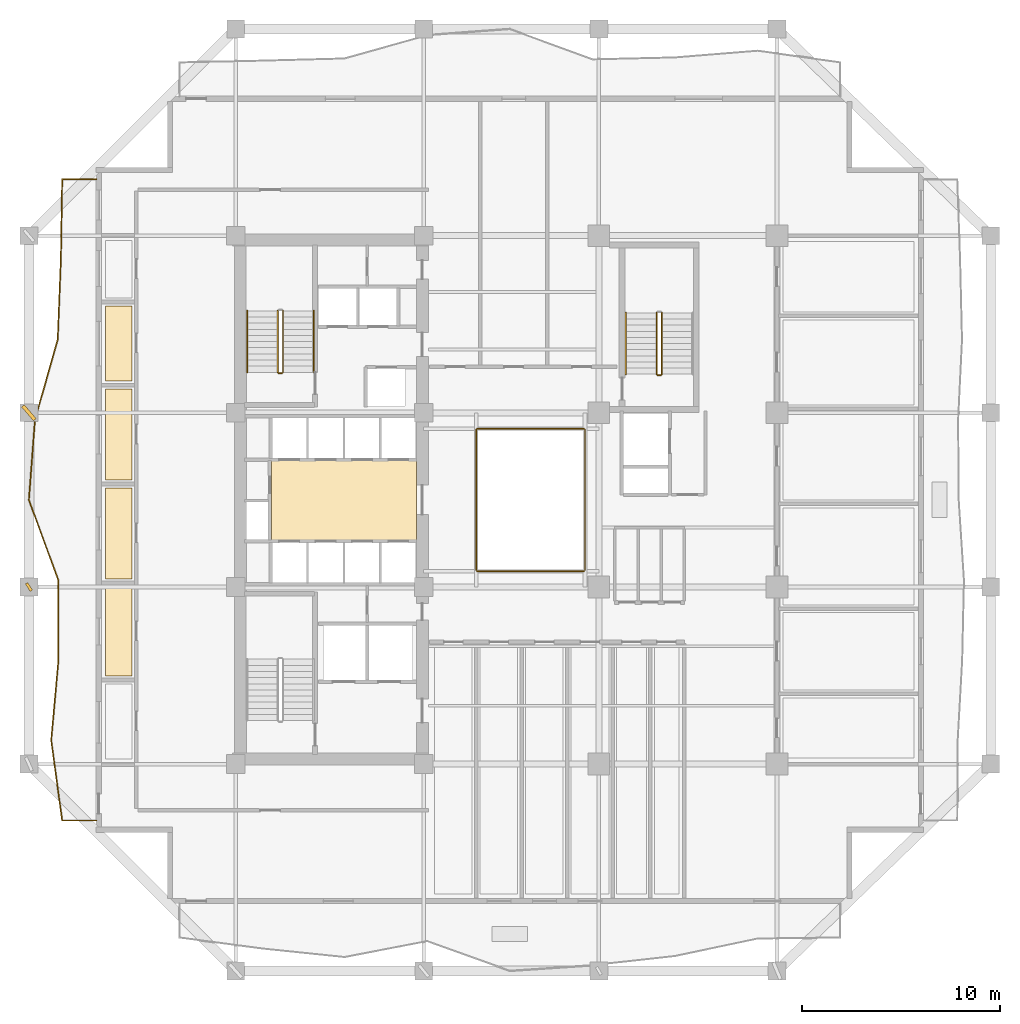
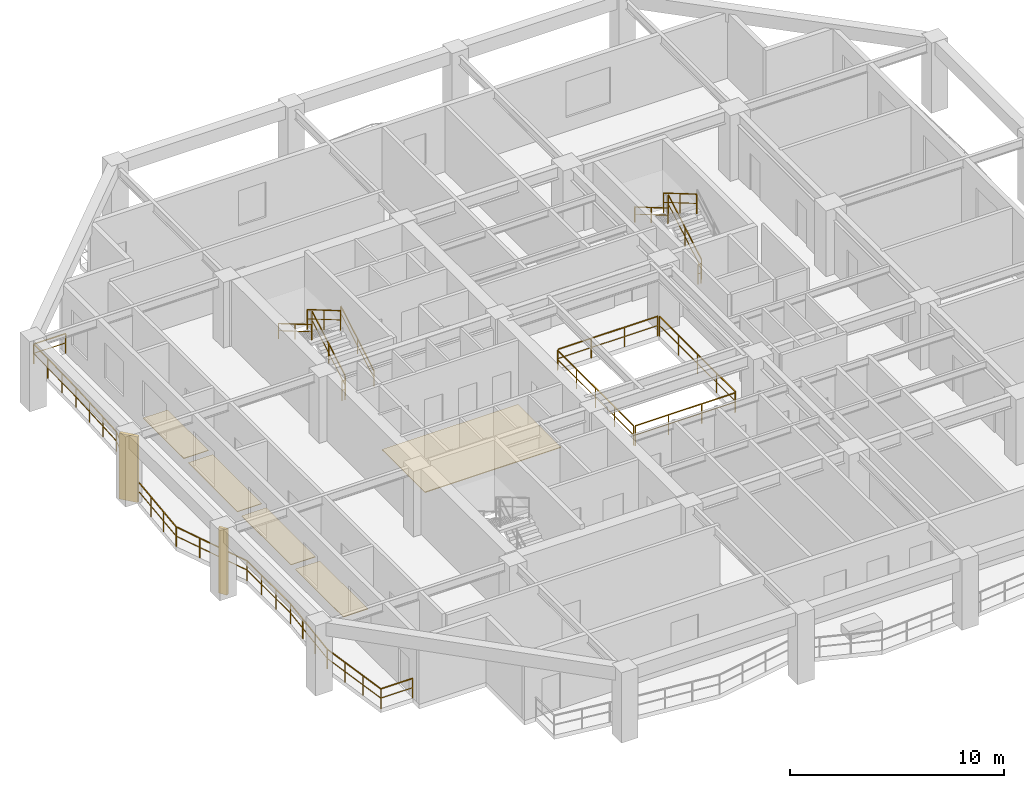
# One storey, part 8 of 11: 14 railings, 5 coverings, 2 shading devices.
"""IFC4 building model written with IfcOpenShell, lengths in metres."""

from ifc_helpers import new_model, si_unit, direction, frame, origin, origin_2d, place, context, subcontext, project, spatial, polyline, rectangle, outline, extrude, material, layer, layer_set, type_object, element, save


model = new_model("IFC4")

# Units and contexts
model_context = context("Model", 3, precision=1e-05, world=origin(), true_north=direction((0.0, 1.0)))
body_context = subcontext(model_context, "Body", "Model", "MODEL_VIEW")
ifc_project = project(units=[si_unit("LENGTHUNIT", "METRE"), si_unit("AREAUNIT", "SQUARE_METRE"), si_unit("VOLUMEUNIT", "CUBIC_METRE"), si_unit("PLANEANGLEUNIT", "RADIAN"), si_unit("MASSUNIT", "GRAM", prefix="KILO")], contexts=[model_context])

# Site, building, storey
site_placement = place(None, origin())
site = spatial("IfcSite", under=ifc_project, at=site_placement, CompositionType="ELEMENT")
building_placement = place(site_placement, origin())
building = spatial("IfcBuilding", under=site, at=building_placement, Name="Kundavana Baori Tower", CompositionType="ELEMENT")
storey_placement = place(building_placement, frame((0.0, 0.0, 82.0)))
storey = spatial("IfcBuildingStorey", under=building, at=storey_placement, Name="L19", CompositionType="ELEMENT", Elevation=82.0)

# Coverings
ifc_material_1 = material(Name="Honed Kota Stone and Terrazzo Flooring", Category="masonry")
ifc_layer_1 = layer(ifc_material_1, 0.0400390625, Name="COV-FLR-TERR-40")
ifc_layer_set_1 = layer_set([ifc_layer_1], Name="Honed Kota Stone and Terrazzo Flooring")
covering_type_1 = type_object("IfcCoveringType", Name="COV-FLR-TERR-40", PredefinedType="FLOORING", material=ifc_layer_set_1)
covering_1_placement = place(storey_placement, origin())
element("IfcCovering", 1, at=covering_1_placement, inside=storey, type_object=covering_type_1, Name="L19 Core Lift Lobby Kota Stone Flooring", PredefinedType="FLOORING", context=body_context, shape_type="SweptSolid", body=[
    extrude(outline(polyline([(17.25, 26.580078125), (24.580078125, 26.580078125), (24.580078125, 30.60009765625), (17.25, 30.60009765625), (17.25, 26.580078125)])), origin(), (0.0, 0.0, 1.0), 0.0400390625),
])
ifc_material_2 = material(Name="Honed Kota Stone and Terrazzo Flooring", Category="masonry")
ifc_layer_2 = layer(ifc_material_2, 0.030029296875, Name="COV-INT-FLR")
ifc_layer_set_2 = layer_set([ifc_layer_2], Name="Honed Kota Stone and Terrazzo Flooring")
covering_type_2 = type_object("IfcCoveringType", Name="COV-INT-FLR", PredefinedType="FLOORING", material=ifc_layer_set_2)
covering_2_placement = place(storey_placement, origin())
element("IfcCovering", 2, at=covering_2_placement, inside=storey, type_object=covering_type_2, Name="L19 Room Finished Stone Flooring 2", PredefinedType="FLOORING", context=body_context, shape_type="SweptSolid", body=[
    extrude(outline(polyline([(8.8798828125, 19.699951171875), (10.199951171875, 19.699951171875), (10.199951171875, 24.199951171875), (8.8798828125, 24.199951171875), (8.8798828125, 19.699951171875)])), origin(), (0.0, 0.0, 1.0), 0.030029296875),
])
covering_3_placement = place(storey_placement, origin())
element("IfcCovering", 3, at=covering_3_placement, inside=storey, type_object=covering_type_2, Name="L19 Room Finished Stone Flooring 3", PredefinedType="FLOORING", context=body_context, shape_type="SweptSolid", body=[
    extrude(outline(polyline([(8.8798828125, 24.60009765625), (10.199951171875, 24.60009765625), (10.199951171875, 29.199951171875), (8.8798828125, 29.199951171875), (8.8798828125, 24.60009765625)])), origin(), (0.0, 0.0, 1.0), 0.030029296875),
])
covering_4_placement = place(storey_placement, origin())
element("IfcCovering", 4, at=covering_4_placement, inside=storey, type_object=covering_type_2, Name="L19 Room Finished Stone Flooring 4", PredefinedType="FLOORING", context=body_context, shape_type="SweptSolid", body=[
    extrude(outline(polyline([(8.8798828125, 29.60009765625), (10.199951171875, 29.60009765625), (10.199951171875, 34.199951171875), (8.8798828125, 34.199951171875), (8.8798828125, 29.60009765625)])), origin(), (0.0, 0.0, 1.0), 0.030029296875),
])
covering_5_placement = place(storey_placement, origin())
element("IfcCovering", 5, at=covering_5_placement, inside=storey, type_object=covering_type_2, Name="L19 Room Finished Stone Flooring 5", PredefinedType="FLOORING", context=body_context, shape_type="SweptSolid", body=[
    extrude(outline(polyline([(8.8798828125, 34.60009765625), (10.199951171875, 34.60009765625), (10.199951171875, 38.39990234375), (8.8798828125, 38.39990234375), (8.8798828125, 34.60009765625)])), origin(), (0.0, 0.0, 1.0), 0.030029296875),
])

# Railings
ifc_material_3 = material(Name="Architectural Patinated Bronze Metalwork")
railing_type_1 = type_object("IfcRailingType", Name="RL-BAL-1150", PredefinedType="BALUSTRADE", material=ifc_material_3)
railing_1_placement = place(storey_placement, frame((8.39990234375, 12.39990234375, 0.0)))
element("IfcRailing", 6, at=railing_1_placement, inside=storey, type_object=railing_type_1, Name="L19 Loggia Balcony Balustrade W", PredefinedType="BALUSTRADE", context=body_context, shape_type="SweptSolid", body=[
    extrude(rectangle(XDim=0.048095703125, YDim=0.048095703125, at=origin_2d()), frame((0.0, 0.0, 1.1259765625), z_axis=(-1.0, 0.0, 0.0), x_axis=(0.0, -1.0, 0.0)), (0.0, 0.0, 1.0), 1.719970703125),
    extrude(rectangle(XDim=0.03125, YDim=0.03125, at=origin_2d()), frame((0.0, 0.0, 0.597900390625), z_axis=(-1.0, 0.0, 0.0), x_axis=(0.0, -1.0, 0.0)), (0.0, 0.0, 1.0), 1.719970703125),
    extrude(rectangle(XDim=0.048095703125, YDim=0.048095703125, at=origin_2d()), frame((-1.719970703125, 0.0, 1.1259765625), z_axis=(-0.135281116165, 0.990807256538, 0.0), x_axis=(-0.990807256538, -0.135281116165, 0.0)), (0.0, 0.0, 1.0), 4.087646484375),
    extrude(rectangle(XDim=0.03125, YDim=0.03125, at=origin_2d()), frame((-1.719970703125, 0.0, 0.597900390625), z_axis=(-0.135281116165, 0.990807256538, 0.0), x_axis=(-0.990807256538, -0.135281116165, 0.0)), (0.0, 0.0, 1.0), 4.087646484375),
    extrude(rectangle(XDim=0.048095703125, YDim=0.048095703125, at=origin_2d()), frame((-2.27294921875, 4.050048828125, 1.1259765625), z_axis=(0.089279751541, 0.996006589318, 0.0), x_axis=(-0.996006589318, 0.089279751541, 0.0)), (0.0, 0.0, 1.0), 4.06640625),
    extrude(rectangle(XDim=0.03125, YDim=0.03125, at=origin_2d()), frame((-2.27294921875, 4.050048828125, 0.597900390625), z_axis=(0.089279751541, 0.996006589318, 0.0), x_axis=(-0.996006589318, 0.089279751541, 0.0)), (0.0, 0.0, 1.0), 4.06640625),
    extrude(rectangle(XDim=0.048095703125, YDim=0.048095703125, at=origin_2d()), frame((-1.909912109375, 8.10009765625, 1.1259765625), z_axis=(-0.001748143691, 0.999998471996, 0.0), x_axis=(-0.999998471996, -0.001748143691, 0.0)), (0.0, 0.0, 1.0), 4.050048828125),
    extrude(rectangle(XDim=0.03125, YDim=0.03125, at=origin_2d()), frame((-1.909912109375, 8.10009765625, 0.597900390625), z_axis=(-0.001748143691, 0.999998471996, 0.0), x_axis=(-0.999998471996, -0.001748143691, 0.0)), (0.0, 0.0, 1.0), 4.050048828125),
    extrude(rectangle(XDim=0.048095703125, YDim=0.048095703125, at=origin_2d()), frame((-1.9169921875, 12.150146484375, 1.1259765625), z_axis=(-0.343823831996, 0.939034170066, 0.0), x_axis=(-0.939034170066, -0.343823831996, 0.0)), (0.0, 0.0, 1.0), 4.31298828125),
    extrude(rectangle(XDim=0.03125, YDim=0.03125, at=origin_2d()), frame((-1.9169921875, 12.150146484375, 0.597900390625), z_axis=(-0.343823831996, 0.939034170066, 0.0), x_axis=(-0.939034170066, -0.343823831996, 0.0)), (0.0, 0.0, 1.0), 4.31298828125),
    extrude(rectangle(XDim=0.048095703125, YDim=0.048095703125, at=origin_2d()), frame((-3.39990234375, 16.2001953125, 1.1259765625), z_axis=(0.075082857832, 0.997177298408, 0.0), x_axis=(-0.997177298408, 0.075082857832, 0.0)), (0.0, 0.0, 1.0), 4.061279296875),
    extrude(rectangle(XDim=0.03125, YDim=0.03125, at=origin_2d()), frame((-3.39990234375, 16.2001953125, 0.597900390625), z_axis=(0.075082857832, 0.997177298408, 0.0), x_axis=(-0.997177298408, 0.075082857832, 0.0)), (0.0, 0.0, 1.0), 4.061279296875),
    extrude(rectangle(XDim=0.048095703125, YDim=0.048095703125, at=origin_2d()), frame((-3.094970703125, 20.25, 1.1259765625), z_axis=(0.273181359137, 0.961962548658, 0.0), x_axis=(-0.961962548658, 0.273181359137, 0.0)), (0.0, 0.0, 1.0), 4.210205078125),
    extrude(rectangle(XDim=0.03125, YDim=0.03125, at=origin_2d()), frame((-3.094970703125, 20.25, 0.597900390625), z_axis=(0.273181359137, 0.961962548658, 0.0), x_axis=(-0.961962548658, 0.273181359137, 0.0)), (0.0, 0.0, 1.0), 4.210205078125),
    extrude(rectangle(XDim=0.048095703125, YDim=0.048095703125, at=origin_2d()), frame((-1.94482421875, 24.300048828125, 1.1259765625), z_axis=(0.039212689569, 0.999230886721, 0.0), x_axis=(-0.999230886721, 0.039212689569, 0.0)), (0.0, 0.0, 1.0), 4.05322265625),
    extrude(rectangle(XDim=0.03125, YDim=0.03125, at=origin_2d()), frame((-1.94482421875, 24.300048828125, 0.597900390625), z_axis=(0.039212689569, 0.999230886721, 0.0), x_axis=(-0.999230886721, 0.039212689569, 0.0)), (0.0, 0.0, 1.0), 4.05322265625),
    extrude(rectangle(XDim=0.048095703125, YDim=0.048095703125, at=origin_2d()), frame((-1.785888671875, 28.35009765625, 1.1259765625), z_axis=(0.016273690107, 0.999867574737, 0.0), x_axis=(-0.999867574737, 0.016273690107, 0.0)), (0.0, 0.0, 1.0), 4.050537109375),
    extrude(rectangle(XDim=0.03125, YDim=0.03125, at=origin_2d()), frame((-1.785888671875, 28.35009765625, 0.597900390625), z_axis=(0.016273690107, 0.999867574737, 0.0), x_axis=(-0.999867574737, 0.016273690107, 0.0)), (0.0, 0.0, 1.0), 4.050537109375),
    extrude(rectangle(XDim=0.048095703125, YDim=0.048095703125, at=origin_2d()), frame((-1.719970703125, 32.400146484375, 1.1259765625), z_axis=(1.0, 0.0, 0.0), x_axis=(0.0, 1.0, 0.0)), (0.0, 0.0, 1.0), 1.719970703125),
    extrude(rectangle(XDim=0.03125, YDim=0.03125, at=origin_2d()), frame((-1.719970703125, 32.400146484375, 0.597900390625), z_axis=(1.0, 0.0, 0.0), x_axis=(0.0, 1.0, 0.0)), (0.0, 0.0, 1.0), 1.719970703125),
    extrude(rectangle(XDim=0.0419921875, YDim=0.0419921875, at=origin_2d()), origin(), (0.0, 0.0, 1.0), 1.101806640625),
    extrude(rectangle(XDim=0.0419921875, YDim=0.0419921875, at=origin_2d()), frame((-1.719970703125, 0.0, 0.0)), (0.0, 0.0, 1.0), 1.101806640625),
    extrude(rectangle(XDim=0.0419921875, YDim=0.0419921875, at=origin_2d()), frame((-1.904296875, 1.35009765625, 0.0)), (0.0, 0.0, 1.0), 1.101806640625),
    extrude(rectangle(XDim=0.0419921875, YDim=0.0419921875, at=origin_2d()), frame((-2.088623046875, 2.699951171875, 0.0)), (0.0, 0.0, 1.0), 1.101806640625),
    extrude(rectangle(XDim=0.0419921875, YDim=0.0419921875, at=origin_2d()), frame((-2.27294921875, 4.050048828125, 0.0)), (0.0, 0.0, 1.0), 1.101806640625),
    extrude(rectangle(XDim=0.0419921875, YDim=0.0419921875, at=origin_2d()), frame((-2.15185546875, 5.400146484375, 0.0)), (0.0, 0.0, 1.0), 1.101806640625),
    extrude(rectangle(XDim=0.0419921875, YDim=0.0419921875, at=origin_2d()), frame((-2.031005859375, 6.75, 0.0)), (0.0, 0.0, 1.0), 1.101806640625),
    extrude(rectangle(XDim=0.0419921875, YDim=0.0419921875, at=origin_2d()), frame((-1.909912109375, 8.10009765625, 0.0)), (0.0, 0.0, 1.0), 1.101806640625),
    extrude(rectangle(XDim=0.0419921875, YDim=0.0419921875, at=origin_2d()), frame((-1.912353515625, 9.4501953125, 0.0)), (0.0, 0.0, 1.0), 1.101806640625),
    extrude(rectangle(XDim=0.0419921875, YDim=0.0419921875, at=origin_2d()), frame((-1.91455078125, 10.800048828125, 0.0)), (0.0, 0.0, 1.0), 1.101806640625),
    extrude(rectangle(XDim=0.0419921875, YDim=0.0419921875, at=origin_2d()), frame((-1.9169921875, 12.150146484375, 0.0)), (0.0, 0.0, 1.0), 1.101806640625),
    extrude(rectangle(XDim=0.0419921875, YDim=0.0419921875, at=origin_2d()), frame((-2.411376953125, 13.500244140625, 0.0)), (0.0, 0.0, 1.0), 1.101806640625),
    extrude(rectangle(XDim=0.0419921875, YDim=0.0419921875, at=origin_2d()), frame((-2.905517578125, 14.85009765625, 0.0)), (0.0, 0.0, 1.0), 1.101806640625),
    extrude(rectangle(XDim=0.0419921875, YDim=0.0419921875, at=origin_2d()), frame((-3.39990234375, 16.2001953125, 0.0)), (0.0, 0.0, 1.0), 1.101806640625),
    extrude(rectangle(XDim=0.0419921875, YDim=0.0419921875, at=origin_2d()), frame((-3.29833984375, 17.550048828125, 0.0)), (0.0, 0.0, 1.0), 1.101806640625),
    extrude(rectangle(XDim=0.0419921875, YDim=0.0419921875, at=origin_2d()), frame((-3.196533203125, 18.900146484375, 0.0)), (0.0, 0.0, 1.0), 1.101806640625),
    extrude(rectangle(XDim=0.0419921875, YDim=0.0419921875, at=origin_2d()), frame((-3.094970703125, 20.25, 0.0)), (0.0, 0.0, 1.0), 1.101806640625),
    extrude(rectangle(XDim=0.0419921875, YDim=0.0419921875, at=origin_2d()), frame((-2.711669921875, 21.60009765625, 0.0)), (0.0, 0.0, 1.0), 1.101806640625),
    extrude(rectangle(XDim=0.0419921875, YDim=0.0419921875, at=origin_2d()), frame((-2.328125, 22.949951171875, 0.0)), (0.0, 0.0, 1.0), 1.101806640625),
    extrude(rectangle(XDim=0.0419921875, YDim=0.0419921875, at=origin_2d()), frame((-1.94482421875, 24.300048828125, 0.0)), (0.0, 0.0, 1.0), 1.101806640625),
    extrude(rectangle(XDim=0.0419921875, YDim=0.0419921875, at=origin_2d()), frame((-1.891845703125, 25.650146484375, 0.0)), (0.0, 0.0, 1.0), 1.101806640625),
    extrude(rectangle(XDim=0.0419921875, YDim=0.0419921875, at=origin_2d()), frame((-1.8388671875, 27.0, 0.0)), (0.0, 0.0, 1.0), 1.101806640625),
    extrude(rectangle(XDim=0.0419921875, YDim=0.0419921875, at=origin_2d()), frame((-1.785888671875, 28.35009765625, 0.0)), (0.0, 0.0, 1.0), 1.101806640625),
    extrude(rectangle(XDim=0.0419921875, YDim=0.0419921875, at=origin_2d()), frame((-1.763916015625, 29.7001953125, 0.0)), (0.0, 0.0, 1.0), 1.101806640625),
    extrude(rectangle(XDim=0.0419921875, YDim=0.0419921875, at=origin_2d()), frame((-1.741943359375, 31.050048828125, 0.0)), (0.0, 0.0, 1.0), 1.101806640625),
    extrude(rectangle(XDim=0.0419921875, YDim=0.0419921875, at=origin_2d()), frame((-1.719970703125, 32.400146484375, 0.0)), (0.0, 0.0, 1.0), 1.101806640625),
    extrude(rectangle(XDim=0.0419921875, YDim=0.0419921875, at=origin_2d()), frame((0.0, 32.400146484375, 0.0)), (0.0, 0.0, 1.0), 1.101806640625),
])
ifc_material_4 = material(Name="Architectural Patinated Bronze Metalwork")
railing_type_2 = type_object("IfcRailingType", Name="RL-GRD-1150", PredefinedType="GUARDRAIL", material=ifc_material_4)
railing_2_placement = place(storey_placement, frame((17.840087890625, 35.050048828125, 0.181884765625)))
element("IfcRailing", 7, at=railing_2_placement, inside=storey, type_object=railing_type_2, Name="L19 ST2 stair guard 1", PredefinedType="GUARDRAIL", context=body_context, shape_type="SweptSolid", body=[
    extrude(rectangle(XDim=0.048095703125, YDim=0.048095703125, at=origin_2d()), frame((0.0, 0.0, 1.1259765625), z_axis=(0.0, 0.86258143422, 0.50591824373), x_axis=(-1.0, 0.0, 0.0)), (0.0, 0.0, 1.0), 3.59375),
    extrude(rectangle(XDim=0.03125, YDim=0.03125, at=origin_2d()), frame((0.0, 0.0, 0.597900390625), z_axis=(0.0, 0.86258143422, 0.50591824373), x_axis=(-1.0, 0.0, 0.0)), (0.0, 0.0, 1.0), 3.59375),
    extrude(rectangle(XDim=0.0419921875, YDim=0.0419921875, at=origin_2d()), origin(), (0.0, 0.0, 1.0), 1.101806640625),
    extrude(rectangle(XDim=0.0419921875, YDim=0.0419921875, at=origin_2d()), frame((0.0, 1.5498046875, 0.9091796875)), (0.0, 0.0, 1.0), 1.101806640625),
    extrude(rectangle(XDim=0.0419921875, YDim=0.0419921875, at=origin_2d()), frame((0.0, 3.099853515625, 1.818115234375)), (0.0, 0.0, 1.0), 1.101806640625),
])
railing_3_placement = place(storey_placement, frame((17.580078125, 38.14990234375, 2.181884765625)))
element("IfcRailing", 8, at=railing_3_placement, inside=storey, type_object=railing_type_2, Name="L19 ST2 stair guard 3", PredefinedType="GUARDRAIL", context=body_context, shape_type="SweptSolid", body=[
    extrude(rectangle(XDim=0.048095703125, YDim=0.048095703125, at=origin_2d()), frame((0.0, 0.0, 1.1259765625), z_axis=(0.0, -0.86258143422, 0.50591824373), x_axis=(1.0, 0.0, 0.0)), (0.0, 0.0, 1.0), 3.59375),
    extrude(rectangle(XDim=0.03125, YDim=0.03125, at=origin_2d()), frame((0.0, 0.0, 0.597900390625), z_axis=(0.0, -0.86258143422, 0.50591824373), x_axis=(1.0, 0.0, 0.0)), (0.0, 0.0, 1.0), 3.59375),
    extrude(rectangle(XDim=0.0419921875, YDim=0.0419921875, at=origin_2d()), origin(), (0.0, 0.0, 1.0), 1.101806640625),
    extrude(rectangle(XDim=0.0419921875, YDim=0.0419921875, at=origin_2d()), frame((0.0, -1.5498046875, 0.9091796875)), (0.0, 0.0, 1.0), 1.101806640625),
    extrude(rectangle(XDim=0.0419921875, YDim=0.0419921875, at=origin_2d()), frame((0.0, -3.099853515625, 1.818115234375)), (0.0, 0.0, 1.0), 1.101806640625),
])
railing_4_placement = place(storey_placement, frame((17.7900390625, 35.0, 0.0)))
element("IfcRailing", 9, at=railing_4_placement, inside=storey, type_object=railing_type_2, Name="L19 ST2 stair guard 4", PredefinedType="GUARDRAIL", context=body_context, shape_type="SweptSolid", body=[
    extrude(rectangle(XDim=0.048095703125, YDim=0.048095703125, at=origin_2d()), frame((0.0, 0.0, 1.1259765625), z_axis=(-1.0, 0.0, 0.0), x_axis=(0.0, -1.0, 0.0)), (0.0, 0.0, 1.0), 0.16015625),
    extrude(rectangle(XDim=0.03125, YDim=0.03125, at=origin_2d()), frame((0.0, 0.0, 0.597900390625), z_axis=(-1.0, 0.0, 0.0), x_axis=(0.0, -1.0, 0.0)), (0.0, 0.0, 1.0), 0.16015625),
    extrude(rectangle(XDim=0.0419921875, YDim=0.0419921875, at=origin_2d()), origin(), (0.0, 0.0, 1.0), 1.101806640625),
    extrude(rectangle(XDim=0.0419921875, YDim=0.0419921875, at=origin_2d()), frame((-0.16015625, 0.0, 0.0)), (0.0, 0.0, 1.0), 1.101806640625),
])
railing_5_placement = place(storey_placement, frame((36.97998046875, 34.949951171875, 0.181884765625)))
element("IfcRailing", 10, at=railing_5_placement, inside=storey, type_object=railing_type_2, Name="L19 ST3 stair guard 1", PredefinedType="GUARDRAIL", context=body_context, shape_type="SweptSolid", body=[
    extrude(rectangle(XDim=0.048095703125, YDim=0.048095703125, at=origin_2d()), frame((0.0, 0.0, 1.1259765625), z_axis=(0.0, 0.862598821094, 0.505888598258), x_axis=(-1.0, 0.0, 0.0)), (0.0, 0.0, 1.0), 3.593994140625),
    extrude(rectangle(XDim=0.03125, YDim=0.03125, at=origin_2d()), frame((0.0, 0.0, 0.597900390625), z_axis=(0.0, 0.862598821094, 0.505888598258), x_axis=(-1.0, 0.0, 0.0)), (0.0, 0.0, 1.0), 3.593994140625),
    extrude(rectangle(XDim=0.0419921875, YDim=0.0419921875, at=origin_2d()), origin(), (0.0, 0.0, 1.0), 1.101806640625),
    extrude(rectangle(XDim=0.0419921875, YDim=0.0419921875, at=origin_2d()), frame((0.0, 1.550048828125, 0.9091796875)), (0.0, 0.0, 1.0), 1.101806640625),
    extrude(rectangle(XDim=0.0419921875, YDim=0.0419921875, at=origin_2d()), frame((0.0, 3.10009765625, 1.818115234375)), (0.0, 0.0, 1.0), 1.101806640625),
])
railing_6_placement = place(storey_placement, frame((36.719970703125, 38.050048828125, 2.181884765625)))
element("IfcRailing", 11, at=railing_6_placement, inside=storey, type_object=railing_type_2, Name="L19 ST3 stair guard 3", PredefinedType="GUARDRAIL", context=body_context, shape_type="SweptSolid", body=[
    extrude(rectangle(XDim=0.048095703125, YDim=0.048095703125, at=origin_2d()), frame((0.0, 0.0, 1.1259765625), z_axis=(0.0, -0.862598821094, 0.505888598258), x_axis=(1.0, 0.0, 0.0)), (0.0, 0.0, 1.0), 3.593994140625),
    extrude(rectangle(XDim=0.03125, YDim=0.03125, at=origin_2d()), frame((0.0, 0.0, 0.597900390625), z_axis=(0.0, -0.862598821094, 0.505888598258), x_axis=(1.0, 0.0, 0.0)), (0.0, 0.0, 1.0), 3.593994140625),
    extrude(rectangle(XDim=0.0419921875, YDim=0.0419921875, at=origin_2d()), origin(), (0.0, 0.0, 1.0), 1.101806640625),
    extrude(rectangle(XDim=0.0419921875, YDim=0.0419921875, at=origin_2d()), frame((0.0, -1.550048828125, 0.9091796875)), (0.0, 0.0, 1.0), 1.101806640625),
    extrude(rectangle(XDim=0.0419921875, YDim=0.0419921875, at=origin_2d()), frame((0.0, -3.10009765625, 1.818115234375)), (0.0, 0.0, 1.0), 1.101806640625),
])
railing_7_placement = place(storey_placement, frame((36.929931640625, 34.89990234375, 0.0)))
element("IfcRailing", 12, at=railing_7_placement, inside=storey, type_object=railing_type_2, Name="L19 ST3 stair guard 4", PredefinedType="GUARDRAIL", context=body_context, shape_type="SweptSolid", body=[
    extrude(rectangle(XDim=0.048095703125, YDim=0.048095703125, at=origin_2d()), frame((0.0, 0.0, 1.1259765625), z_axis=(-1.0, 0.0, 0.0), x_axis=(0.0, -1.0, 0.0)), (0.0, 0.0, 1.0), 0.159912109375),
    extrude(rectangle(XDim=0.03125, YDim=0.03125, at=origin_2d()), frame((0.0, 0.0, 0.597900390625), z_axis=(-1.0, 0.0, 0.0), x_axis=(0.0, -1.0, 0.0)), (0.0, 0.0, 1.0), 0.159912109375),
    extrude(rectangle(XDim=0.0419921875, YDim=0.0419921875, at=origin_2d()), origin(), (0.0, 0.0, 1.0), 1.101806640625),
    extrude(rectangle(XDim=0.0419921875, YDim=0.0419921875, at=origin_2d()), frame((-0.159912109375, 0.0, 0.0)), (0.0, 0.0, 1.0), 1.101806640625),
])
railing_8_placement = place(storey_placement, frame((27.659912109375, 25.0, 0.0)))
element("IfcRailing", 13, at=railing_8_placement, inside=storey, type_object=railing_type_2, Name="L19 Atrium Void Perimeter Guardrail S", PredefinedType="GUARDRAIL", context=body_context, shape_type="SweptSolid", body=[
    extrude(rectangle(XDim=0.048095703125, YDim=0.048095703125, at=origin_2d()), frame((0.0, 0.0, 1.1259765625), z_axis=(1.0, 0.0, 0.0), x_axis=(0.0, 1.0, 0.0)), (0.0, 0.0, 1.0), 5.380126953125),
    extrude(rectangle(XDim=0.03125, YDim=0.03125, at=origin_2d()), frame((0.0, 0.0, 0.597900390625), z_axis=(1.0, 0.0, 0.0), x_axis=(0.0, 1.0, 0.0)), (0.0, 0.0, 1.0), 5.380126953125),
    extrude(rectangle(XDim=0.0419921875, YDim=0.0419921875, at=origin_2d()), origin(), (0.0, 0.0, 1.0), 1.101806640625),
    extrude(rectangle(XDim=0.0419921875, YDim=0.0419921875, at=origin_2d()), frame((1.79345703125, 0.0, 0.0)), (0.0, 0.0, 1.0), 1.101806640625),
    extrude(rectangle(XDim=0.0419921875, YDim=0.0419921875, at=origin_2d()), frame((3.586669921875, 0.0, 0.0)), (0.0, 0.0, 1.0), 1.101806640625),
    extrude(rectangle(XDim=0.0419921875, YDim=0.0419921875, at=origin_2d()), frame((5.380126953125, 0.0, 0.0)), (0.0, 0.0, 1.0), 1.101806640625),
])
railing_9_placement = place(storey_placement, frame((33.10009765625, 25.06005859375, 0.0)))
element("IfcRailing", 14, at=railing_9_placement, inside=storey, type_object=railing_type_2, Name="L19 Atrium Void Perimeter Guardrail E", PredefinedType="GUARDRAIL", context=body_context, shape_type="SweptSolid", body=[
    extrude(rectangle(XDim=0.048095703125, YDim=0.048095703125, at=origin_2d()), frame((0.0, 0.0, 1.1259765625), z_axis=(0.0, 1.0, 0.0), x_axis=(-1.0, 0.0, 0.0)), (0.0, 0.0, 1.0), 7.079833984375),
    extrude(rectangle(XDim=0.03125, YDim=0.03125, at=origin_2d()), frame((0.0, 0.0, 0.597900390625), z_axis=(0.0, 1.0, 0.0), x_axis=(-1.0, 0.0, 0.0)), (0.0, 0.0, 1.0), 7.079833984375),
    extrude(rectangle(XDim=0.0419921875, YDim=0.0419921875, at=origin_2d()), origin(), (0.0, 0.0, 1.0), 1.101806640625),
    extrude(rectangle(XDim=0.0419921875, YDim=0.0419921875, at=origin_2d()), frame((0.0, 1.77001953125, 0.0)), (0.0, 0.0, 1.0), 1.101806640625),
    extrude(rectangle(XDim=0.0419921875, YDim=0.0419921875, at=origin_2d()), frame((0.0, 3.5400390625, 0.0)), (0.0, 0.0, 1.0), 1.101806640625),
    extrude(rectangle(XDim=0.0419921875, YDim=0.0419921875, at=origin_2d()), frame((0.0, 5.309814453125, 0.0)), (0.0, 0.0, 1.0), 1.101806640625),
    extrude(rectangle(XDim=0.0419921875, YDim=0.0419921875, at=origin_2d()), frame((0.0, 7.079833984375, 0.0)), (0.0, 0.0, 1.0), 1.101806640625),
])
railing_10_placement = place(storey_placement, frame((33.0400390625, 32.199951171875, 0.0)))
element("IfcRailing", 15, at=railing_10_placement, inside=storey, type_object=railing_type_2, Name="L19 Atrium Void Perimeter Guardrail N", PredefinedType="GUARDRAIL", context=body_context, shape_type="SweptSolid", body=[
    extrude(rectangle(XDim=0.048095703125, YDim=0.048095703125, at=origin_2d()), frame((0.0, 0.0, 1.1259765625), z_axis=(-1.0, 0.0, 0.0), x_axis=(0.0, -1.0, 0.0)), (0.0, 0.0, 1.0), 5.380126953125),
    extrude(rectangle(XDim=0.03125, YDim=0.03125, at=origin_2d()), frame((0.0, 0.0, 0.597900390625), z_axis=(-1.0, 0.0, 0.0), x_axis=(0.0, -1.0, 0.0)), (0.0, 0.0, 1.0), 5.380126953125),
    extrude(rectangle(XDim=0.0419921875, YDim=0.0419921875, at=origin_2d()), origin(), (0.0, 0.0, 1.0), 1.101806640625),
    extrude(rectangle(XDim=0.0419921875, YDim=0.0419921875, at=origin_2d()), frame((-1.79345703125, 0.0, 0.0)), (0.0, 0.0, 1.0), 1.101806640625),
    extrude(rectangle(XDim=0.0419921875, YDim=0.0419921875, at=origin_2d()), frame((-3.586669921875, 0.0, 0.0)), (0.0, 0.0, 1.0), 1.101806640625),
    extrude(rectangle(XDim=0.0419921875, YDim=0.0419921875, at=origin_2d()), frame((-5.380126953125, 0.0, 0.0)), (0.0, 0.0, 1.0), 1.101806640625),
])
railing_11_placement = place(storey_placement, frame((27.60009765625, 32.139892578125, 0.0)))
element("IfcRailing", 16, at=railing_11_placement, inside=storey, type_object=railing_type_2, Name="L19 Atrium Void Perimeter Guardrail W", PredefinedType="GUARDRAIL", context=body_context, shape_type="SweptSolid", body=[
    extrude(rectangle(XDim=0.048095703125, YDim=0.048095703125, at=origin_2d()), frame((0.0, 0.0, 1.1259765625), z_axis=(0.0, -1.0, 0.0), x_axis=(1.0, 0.0, 0.0)), (0.0, 0.0, 1.0), 7.079833984375),
    extrude(rectangle(XDim=0.03125, YDim=0.03125, at=origin_2d()), frame((0.0, 0.0, 0.597900390625), z_axis=(0.0, -1.0, 0.0), x_axis=(1.0, 0.0, 0.0)), (0.0, 0.0, 1.0), 7.079833984375),
    extrude(rectangle(XDim=0.0419921875, YDim=0.0419921875, at=origin_2d()), origin(), (0.0, 0.0, 1.0), 1.101806640625),
    extrude(rectangle(XDim=0.0419921875, YDim=0.0419921875, at=origin_2d()), frame((0.0, -1.77001953125, 0.0)), (0.0, 0.0, 1.0), 1.101806640625),
    extrude(rectangle(XDim=0.0419921875, YDim=0.0419921875, at=origin_2d()), frame((0.0, -3.5400390625, 0.0)), (0.0, 0.0, 1.0), 1.101806640625),
    extrude(rectangle(XDim=0.0419921875, YDim=0.0419921875, at=origin_2d()), frame((0.0, -5.309814453125, 0.0)), (0.0, 0.0, 1.0), 1.101806640625),
    extrude(rectangle(XDim=0.0419921875, YDim=0.0419921875, at=origin_2d()), frame((0.0, -7.079833984375, 0.0)), (0.0, 0.0, 1.0), 1.101806640625),
])
ifc_material_5 = material(Name="Architectural Patinated Bronze Metalwork")
railing_type_3 = type_object("IfcRailingType", Name="RL-HND-920", PredefinedType="HANDRAIL", material=ifc_material_5)
railing_12_placement = place(storey_placement, frame((19.389892578125, 35.050048828125, 0.181884765625)))
element("IfcRailing", 17, at=railing_12_placement, inside=storey, type_object=railing_type_3, Name="L19 ST2 stair handrail 1", PredefinedType="HANDRAIL", context=body_context, shape_type="SweptSolid", body=[
    extrude(rectangle(XDim=0.048095703125, YDim=0.048095703125, at=origin_2d()), frame((0.0, 0.0, 0.8759765625), z_axis=(0.0, 0.86258143422, 0.50591824373), x_axis=(-1.0, 0.0, 0.0)), (0.0, 0.0, 1.0), 3.59375),
    extrude(rectangle(XDim=0.03125, YDim=0.03125, at=origin_2d()), frame((0.0, 0.0, 0.468017578125), z_axis=(0.0, 0.86258143422, 0.50591824373), x_axis=(-1.0, 0.0, 0.0)), (0.0, 0.0, 1.0), 3.59375),
    extrude(rectangle(XDim=0.0419921875, YDim=0.0419921875, at=origin_2d()), origin(), (0.0, 0.0, 1.0), 0.851806640625),
    extrude(rectangle(XDim=0.0419921875, YDim=0.0419921875, at=origin_2d()), frame((0.0, 1.5498046875, 0.9091796875)), (0.0, 0.0, 1.0), 0.851806640625),
    extrude(rectangle(XDim=0.0419921875, YDim=0.0419921875, at=origin_2d()), frame((0.0, 3.099853515625, 1.818115234375)), (0.0, 0.0, 1.0), 0.851806640625),
])
railing_13_placement = place(storey_placement, frame((16.030029296875, 38.14990234375, 2.181884765625)))
element("IfcRailing", 18, at=railing_13_placement, inside=storey, type_object=railing_type_3, Name="L19 ST2 stair handrail 2", PredefinedType="HANDRAIL", context=body_context, shape_type="SweptSolid", body=[
    extrude(rectangle(XDim=0.048095703125, YDim=0.048095703125, at=origin_2d()), frame((0.0, 0.0, 0.8759765625), z_axis=(0.0, -0.86258143422, 0.50591824373), x_axis=(1.0, 0.0, 0.0)), (0.0, 0.0, 1.0), 3.59375),
    extrude(rectangle(XDim=0.03125, YDim=0.03125, at=origin_2d()), frame((0.0, 0.0, 0.468017578125), z_axis=(0.0, -0.86258143422, 0.50591824373), x_axis=(1.0, 0.0, 0.0)), (0.0, 0.0, 1.0), 3.59375),
    extrude(rectangle(XDim=0.0419921875, YDim=0.0419921875, at=origin_2d()), origin(), (0.0, 0.0, 1.0), 0.851806640625),
    extrude(rectangle(XDim=0.0419921875, YDim=0.0419921875, at=origin_2d()), frame((0.0, -1.5498046875, 0.9091796875)), (0.0, 0.0, 1.0), 0.851806640625),
    extrude(rectangle(XDim=0.0419921875, YDim=0.0419921875, at=origin_2d()), frame((0.0, -3.099853515625, 1.818115234375)), (0.0, 0.0, 1.0), 0.851806640625),
])
railing_14_placement = place(storey_placement, frame((35.169921875, 38.050048828125, 2.181884765625)))
element("IfcRailing", 19, at=railing_14_placement, inside=storey, type_object=railing_type_3, Name="L19 ST3 stair handrail 2", PredefinedType="HANDRAIL", context=body_context, shape_type="SweptSolid", body=[
    extrude(rectangle(XDim=0.048095703125, YDim=0.048095703125, at=origin_2d()), frame((0.0, 0.0, 0.8759765625), z_axis=(0.0, -0.862598821094, 0.505888598258), x_axis=(1.0, 0.0, 0.0)), (0.0, 0.0, 1.0), 3.593994140625),
    extrude(rectangle(XDim=0.03125, YDim=0.03125, at=origin_2d()), frame((0.0, 0.0, 0.468017578125), z_axis=(0.0, -0.862598821094, 0.505888598258), x_axis=(1.0, 0.0, 0.0)), (0.0, 0.0, 1.0), 3.593994140625),
    extrude(rectangle(XDim=0.0419921875, YDim=0.0419921875, at=origin_2d()), origin(), (0.0, 0.0, 1.0), 0.851806640625),
    extrude(rectangle(XDim=0.0419921875, YDim=0.0419921875, at=origin_2d()), frame((0.0, -1.550048828125, 0.9091796875)), (0.0, 0.0, 1.0), 0.851806640625),
    extrude(rectangle(XDim=0.0419921875, YDim=0.0419921875, at=origin_2d()), frame((0.0, -3.10009765625, 1.818115234375)), (0.0, 0.0, 1.0), 0.851806640625),
])

# Shading devices
ifc_material_6 = material(Name="Red-Buff Dholpur Sandstone Cladding on Concrete C40/50", Category="masonry")
shading_device_type_1 = type_object("IfcShadingDeviceType", Name="SHD-FIN-920", PredefinedType="JALOUSIE", material=ifc_material_6)
shading_device_1_placement = place(storey_placement, frame((5.0, 33.0, 0.0), z_axis=(0.0, 0.0, 1.0), x_axis=(0.756538697576, 0.653948926958, 0.0)))
element("IfcShadingDevice", 20, at=shading_device_1_placement, inside=storey, type_object=shading_device_type_1, Name="L19 Sweeping Dholpur Sandstone Facade Fin 7", PredefinedType="JALOUSIE", context=body_context, shape_type="SweptSolid", body=[
    extrude(rectangle(XDim=0.179931640625, YDim=0.919921875, at=origin_2d()), origin(), (0.0, 0.0, 1.0), 3.739990234375),
])
ifc_material_7 = material(Name="Architectural Patinated Bronze Metalwork")
shading_device_type_2 = type_object("IfcShadingDeviceType", Name="SHD-LOUV-450", PredefinedType="SHUTTER", material=ifc_material_7)
shading_device_2_placement = place(storey_placement, frame((5.0, 24.199951171875, 0.0), z_axis=(0.0, 0.0, 1.0), x_axis=(0.840188215011, 0.542294904417, 0.0)))
element("IfcShadingDevice", 21, at=shading_device_2_placement, inside=storey, type_object=shading_device_type_2, Name="L19 Sweeping Dholpur Sandstone Facade Fin 6", PredefinedType="SHUTTER", context=body_context, shape_type="SweptSolid", body=[
    extrude(rectangle(XDim=0.139892578125, YDim=0.449951171875, at=origin_2d()), origin(), (0.0, 0.0, 1.0), 3.739990234375),
])

save(model, "model.ifc")
